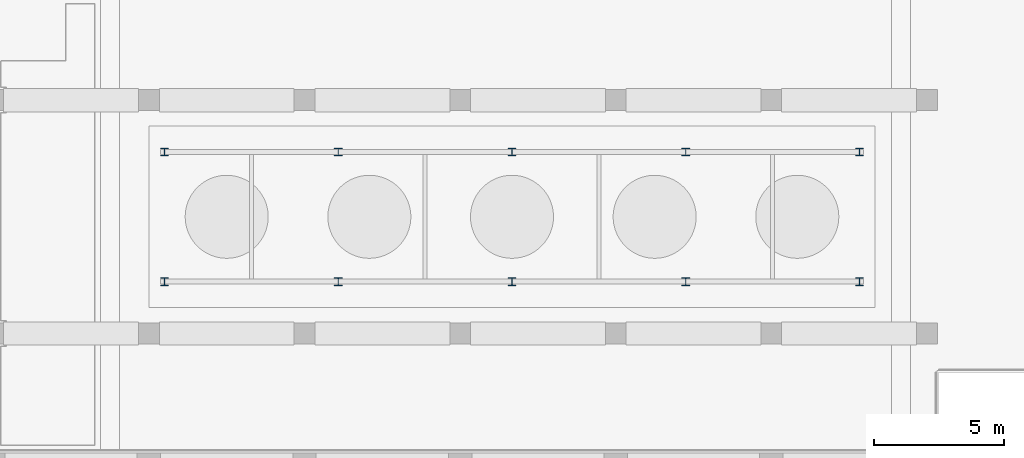
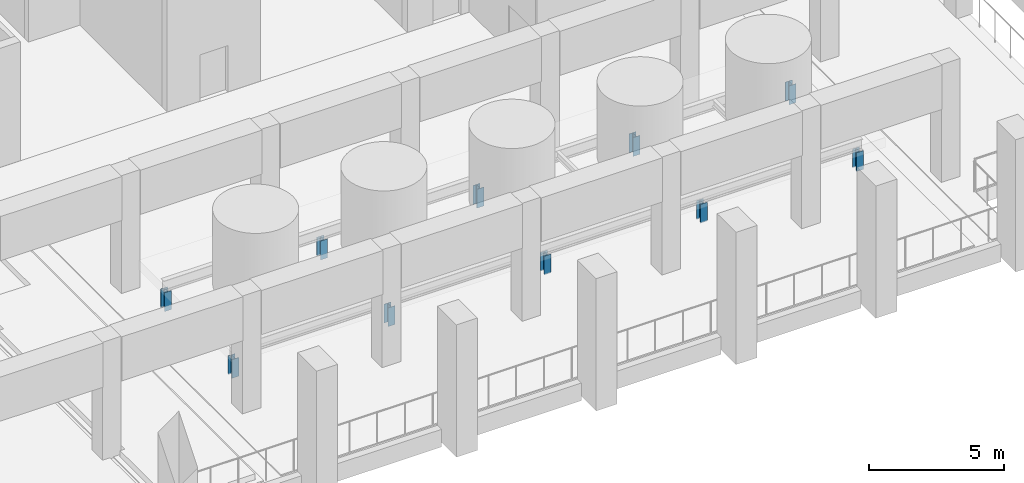
# One storey, part 2 of 11: 10 columns.
"""IFC4 building model written with IfcOpenShell, lengths in metres."""

from ifc_helpers import new_model, si_unit, direction, frame, origin, origin_2d, place, context, subcontext, project, spatial, i_section, extrude, material, material_profile, profile_set, type_object, element, save


model = new_model("IFC4")

# Units and contexts
model_context = context("Model", 3, precision=1e-05, world=origin(), true_north=direction((0.0, 1.0)))
body_context = subcontext(model_context, "Body", "Model", "MODEL_VIEW")
ifc_project = project(units=[si_unit("LENGTHUNIT", "METRE"), si_unit("AREAUNIT", "SQUARE_METRE"), si_unit("VOLUMEUNIT", "CUBIC_METRE"), si_unit("PLANEANGLEUNIT", "RADIAN"), si_unit("MASSUNIT", "GRAM", prefix="KILO")], contexts=[model_context])

# Site, building, storey
site_placement = place(None, origin())
site = spatial("IfcSite", under=ifc_project, at=site_placement, CompositionType="ELEMENT")
building_placement = place(site_placement, origin())
building = spatial("IfcBuilding", under=site, at=building_placement, Name="Calvaro Tower", CompositionType="ELEMENT")
storey_placement = place(building_placement, frame((0.0, 0.0, 265.949951171875)))
storey = spatial("IfcBuildingStorey", under=building, at=storey_placement, Name="L67", CompositionType="ELEMENT", Elevation=265.949951171875)

# Columns
ifc_material = material(Name="Steel S355", Category="steel")
ifc_material_profile = material_profile(ifc_material, i_section(OverallWidth=0.300048828125, OverallDepth=0.300048828125, WebThickness=0.010986328125, FlangeThickness=0.01904296875, FilletRadius=0.027099609375, at=origin_2d()), Name="HEB 300")
ifc_profile_set = profile_set([ifc_material_profile], Name="Steel S355")
column_type = type_object("IfcColumnType", Name="Platform post HEB 300", PredefinedType="COLUMN", material=ifc_profile_set)
for number, where, z_axis, x_axis, name in (
    (1, (30.60009765625, 12.0, 0.0), (0.0, 0.0, 1.0), (1.0, 0.0, 0.0), "Platform post"),
    (2, (37.300048828125, 12.0, 0.0), (0.0, 0.0, 1.0), (1.0, 0.0, 0.0), "Platform post"),
    (3, (44.0, 12.0, 0.0), (0.0, 0.0, 1.0), (1.0, 0.0, 0.0), "Platform post"),
    (4, (50.699951171875, 12.0, 0.0), (0.0, 0.0, 1.0), (1.0, 0.0, 0.0), "Platform post"),
    (5, (57.39990234375, 12.0, 0.0), (0.0, 0.0, 1.0), (1.0, 0.0, 0.0), "Platform post"),
    (6, (30.60009765625, 17.0, 0.0), (0.0, 0.0, 1.0), (1.0, 0.0, 0.0), "Platform post"),
    (7, (37.300048828125, 17.0, 0.0), (0.0, 0.0, 1.0), (1.0, 0.0, 0.0), "Platform post"),
    (8, (44.0, 17.0, 0.0), (0.0, 0.0, 1.0), (1.0, 0.0, 0.0), "Platform post"),
    (9, (50.699951171875, 17.0, 0.0), (0.0, 0.0, 1.0), (1.0, 0.0, 0.0), "Platform post"),
    (10, (57.39990234375, 17.0, 0.0), (0.0, 0.0, 1.0), (1.0, 0.0, 0.0), "Platform post"),
):
    element("IfcColumn", number, at=place(storey_placement, frame(where, z_axis=z_axis, x_axis=x_axis)), inside=storey, type_object=column_type, Name=name, PredefinedType="COLUMN", context=body_context, shape_type="SweptSolid", body=[
        extrude(i_section(OverallWidth=0.300048828125, OverallDepth=0.300048828125, WebThickness=0.010986328125, FlangeThickness=0.01904296875, FilletRadius=0.027099609375, at=origin_2d()), origin(), (0.0, 0.0, 1.0), 0.85009765625),
    ])

save(model, "model.ifc")
